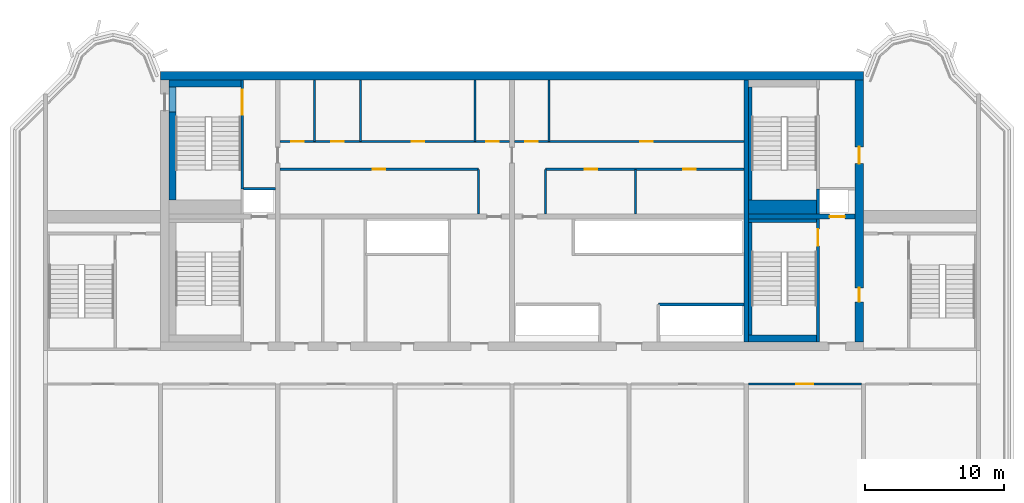
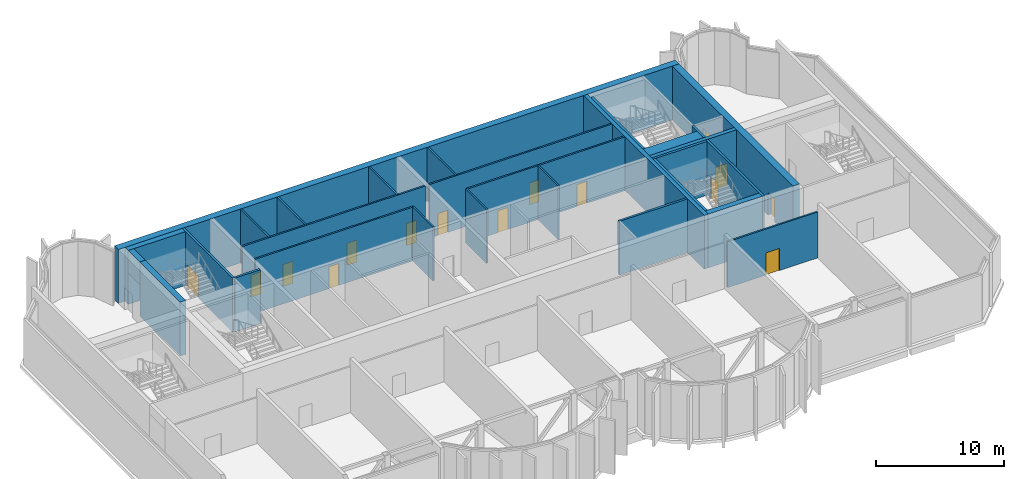
# One storey, part 4 of 11: 29 walls, 15 doors, 15 openings.
"""IFC4 building model written with IfcOpenShell, lengths in metres."""

from ifc_helpers import new_model, si_unit, direction, frame, frame_2d, origin, place, context, subcontext, project, spatial, rectangle, extrude, source, transform, mapped, material, layer, layer_set, type_object, element, fill, save


model = new_model("IFC4")

# Units and contexts
model_context = context("Model", 3, precision=1e-05, world=origin(), true_north=direction((0.0, 1.0)))
body_context = subcontext(model_context, "Body", "Model", "MODEL_VIEW")
ifc_project = project(units=[si_unit("LENGTHUNIT", "METRE"), si_unit("AREAUNIT", "SQUARE_METRE"), si_unit("VOLUMEUNIT", "CUBIC_METRE"), si_unit("PLANEANGLEUNIT", "RADIAN"), si_unit("MASSUNIT", "GRAM", prefix="KILO")], contexts=[model_context])

# Site, building, storey
site_placement = place(None, origin())
site = spatial("IfcSite", under=ifc_project, at=site_placement, CompositionType="ELEMENT")
building_placement = place(site_placement, origin())
building = spatial("IfcBuilding", under=site, at=building_placement, Name="Vanashikhar Sky Hotel", CompositionType="ELEMENT")
storey_placement = place(building_placement, frame((0.0, 0.0, 264.699951171875)))
storey = spatial("IfcBuildingStorey", under=building, at=storey_placement, Name="L64", CompositionType="ELEMENT", Elevation=264.699951171875)

# Wall
ifc_material_1 = material(Name="Concrete M60", Category="concrete")
ifc_layer_1 = layer(ifc_material_1, 0.60009765625)
ifc_layer_set_1 = layer_set([ifc_layer_1], Name="RC core shell wall 600 Concrete M60")
wall_type_1 = type_object("IfcWallType", Name="RC core shell wall 600 Concrete M60", PredefinedType="SHEAR", material=ifc_layer_set_1)
shared_shape_1 = source(origin(), body_context, "Body", "SweptSolid", [
    extrude(rectangle(XDim=50.400146484375, YDim=0.60009765625, at=frame_2d((25.2001953125, 0.0))), origin(), (0.0, 0.0, 1.0), 5.1201171875),
])
wall_1_placement = place(storey_placement, frame((25.199951171875, 41.699951171875, 0.0), z_axis=(0.0, 0.0, 1.0), x_axis=(1.0, 0.0, 0.0)))
element("IfcWall", 1, at=wall_1_placement, inside=storey, type_object=wall_type_1, Name="KW-L64-KN", PredefinedType="SHEAR", context=body_context, shape_type="MappedRepresentation", body=[
    mapped(shared_shape_1, transform((0.0, 0.0, 0.0), scale=1.0)),
])

# Wall, openings, doors
shared_shape_2 = source(origin(), body_context, "Body", "SweptSolid", [
    extrude(rectangle(XDim=18.7998046875, YDim=0.60009765625, at=frame_2d((9.39990234375, 0.0))), origin(), (0.0, 0.0, 1.0), 5.1201171875),
])
wall_2_placement = place(storey_placement, frame((75.300048828125, 22.60009765625, 0.0), z_axis=(0.0, 0.0, 1.0), x_axis=(0.0, 1.0, 0.0)))
wall_2 = element("IfcWall", 2, at=wall_2_placement, inside=storey, type_object=wall_type_1, Name="KW-L64-KE", PredefinedType="SHEAR", context=body_context, shape_type="MappedRepresentation", body=[
    mapped(shared_shape_2, transform((0.0, 0.0, 0.0), scale=1.0)),
])
shared_shape_3 = source(origin(), body_context, "Body", "SweptSolid", [
    extrude(rectangle(XDim=1.0, YDim=2.10009765625, at=frame_2d((0.5, 1.050048828125))), frame((0.0, 0.31005859375, 0.0), z_axis=(0.0, -1.0, 0.0), x_axis=(1.0, 0.0, 0.0)), (0.0, 0.0, 1.0), 0.6201171875),
])
opening_1_placement = place(wall_2_placement, frame((2.89990234375, 0.0, 0.0)))
opening_1 = element("IfcOpeningElement", 3, at=opening_1_placement, cuts=wall_2, Name="Opening DC-5", PredefinedType="OPENING", context=body_context, shape_type="MappedRepresentation", body=[
    mapped(shared_shape_3, transform((0.0, 0.0, 0.0), scale=1.0)),
])
shared_shape_4 = source(origin(), body_context, "Body", "SweptSolid", [
    extrude(rectangle(XDim=1.199951171875, YDim=2.10009765625, at=frame_2d((0.60009765625, 1.050048828125))), frame((0.0, 0.31005859375, 0.0), z_axis=(0.0, -1.0, 0.0), x_axis=(1.0, 0.0, 0.0)), (0.0, 0.0, 1.0), 0.6201171875),
])
opening_2_placement = place(wall_2_placement, frame((12.800048828125, 0.0, 0.0)))
opening_2 = element("IfcOpeningElement", 4, at=opening_2_placement, cuts=wall_2, Name="Opening DC-4-D", PredefinedType="OPENING", context=body_context, shape_type="MappedRepresentation", body=[
    mapped(shared_shape_4, transform((0.0, 0.0, 0.0), scale=1.0)),
])
ifc_material_2 = material(Name="Steel", Category="steel")
door_type_1 = type_object("IfcDoorType", Name="Refuge door 1000 FD120", OperationType="NOTDEFINED", PredefinedType="DOOR", material=ifc_material_2)
shared_shape_5 = source(origin(), body_context, "Body", "SweptSolid", [
    extrude(rectangle(XDim=1.0, YDim=2.10009765625, at=frame_2d((0.5, 1.050048828125))), frame((0.0, 0.02490234375, 0.0), z_axis=(0.0, -1.0, 0.0), x_axis=(1.0, 0.0, 0.0)), (0.0, 0.0, 1.0), 0.050048828125),
])
door_1_placement = place(opening_1_placement, origin())
door_1 = element("IfcDoor", 5, at=door_1_placement, inside=storey, type_object=door_type_1, Name="Refuge door 1000 FD120", OperationType="SINGLE_SWING_RIGHT", OverallHeight=2.10009765625, OverallWidth=1.0, PredefinedType="DOOR", context=body_context, shape_type="MappedRepresentation", body=[
    mapped(shared_shape_5, transform((0.0, 0.0, 0.0), scale=1.0)),
])
fill(opening_1, door_1)
door_type_2 = type_object("IfcDoorType", Name="Service door 1200 FD120", OperationType="NOTDEFINED", PredefinedType="DOOR", material=ifc_material_2)
shared_shape_6 = source(origin(), body_context, "Body", "SweptSolid", [
    extrude(rectangle(XDim=1.199951171875, YDim=2.10009765625, at=frame_2d((0.60009765625, 1.050048828125))), frame((0.0, 0.02490234375, 0.0), z_axis=(0.0, -1.0, 0.0), x_axis=(1.0, 0.0, 0.0)), (0.0, 0.0, 1.0), 0.050048828125),
])
door_2_placement = place(opening_2_placement, origin())
door_2 = element("IfcDoor", 6, at=door_2_placement, inside=storey, type_object=door_type_2, Name="Service door 1200 FD120", OperationType="SINGLE_SWING_LEFT", OverallHeight=2.10009765625, OverallWidth=1.199951171875, PredefinedType="DOOR", context=body_context, shape_type="MappedRepresentation", body=[
    mapped(shared_shape_6, transform((0.0, 0.0, 0.0), scale=1.0)),
])
fill(opening_2, door_2)

# Wall
ifc_layer_2 = layer(ifc_material_1, 0.35009765625)
ifc_layer_set_2 = layer_set([ifc_layer_2], Name="RC core inner wall 350 Concrete M60")
wall_type_2 = type_object("IfcWallType", Name="RC core inner wall 350 Concrete M60", PredefinedType="SHEAR", material=ifc_layer_set_2)
shared_shape_7 = source(origin(), body_context, "Body", "SweptSolid", [
    extrude(rectangle(XDim=18.7998046875, YDim=0.35009765625, at=frame_2d((9.39990234375, 0.0))), origin(), (0.0, 0.0, 1.0), 5.1201171875),
])
wall_3_placement = place(storey_placement, frame((67.199951171875, 22.60009765625, 0.0), z_axis=(0.0, 0.0, 1.0), x_axis=(0.0, 1.0, 0.0)))
element("IfcWall", 7, at=wall_3_placement, inside=storey, type_object=wall_type_2, Name="KW-L64-KX3", PredefinedType="SHEAR", context=body_context, shape_type="MappedRepresentation", body=[
    mapped(shared_shape_7, transform((0.0, 0.0, 0.0), scale=1.0)),
])

# Wall, opening, door
shared_shape_8 = source(origin(), body_context, "Body", "SweptSolid", [
    extrude(rectangle(XDim=7.625, YDim=0.35009765625, at=frame_2d((3.8125, 0.0))), origin(), (0.0, 0.0, 1.0), 5.1201171875),
])
wall_4_placement = place(storey_placement, frame((67.375, 31.60009765625, 0.0), z_axis=(0.0, 0.0, 1.0), x_axis=(1.0, 0.0, 0.0)))
wall_4 = element("IfcWall", 8, at=wall_4_placement, inside=storey, type_object=wall_type_2, Name="KW-L64-KY4", PredefinedType="SHEAR", context=body_context, shape_type="MappedRepresentation", body=[
    mapped(shared_shape_8, transform((0.0, 0.0, 0.0), scale=1.0)),
])
shared_shape_9 = source(origin(), body_context, "Body", "SweptSolid", [
    extrude(rectangle(XDim=1.10009765625, YDim=2.10009765625, at=frame_2d((0.550048828125, 1.050048828125))), frame((0.0, 0.18505859375, 0.0), z_axis=(0.0, -1.0, 0.0), x_axis=(1.0, 0.0, 0.0)), (0.0, 0.0, 1.0), 0.3701171875),
])
opening_3_placement = place(wall_4_placement, frame((5.800048828125, 0.0, 0.0)))
opening_3 = element("IfcOpeningElement", 9, at=opening_3_placement, cuts=wall_4, Name="Opening LD", PredefinedType="OPENING", context=body_context, shape_type="MappedRepresentation", body=[
    mapped(shared_shape_9, transform((0.0, 0.0, 0.0), scale=1.0)),
])
ifc_material_3 = material(Name="Stainless steel", Category="steel")
door_type_3 = type_object("IfcDoorType", Name="Lift landing door 1100", OperationType="NOTDEFINED", PredefinedType="DOOR", material=ifc_material_3)
shared_shape_10 = source(origin(), body_context, "Body", "SweptSolid", [
    extrude(rectangle(XDim=1.10009765625, YDim=2.10009765625, at=frame_2d((0.550048828125, 1.050048828125))), frame((0.0, 0.02490234375, 0.0), z_axis=(0.0, -1.0, 0.0), x_axis=(1.0, 0.0, 0.0)), (0.0, 0.0, 1.0), 0.050048828125),
])
door_3_placement = place(opening_3_placement, origin())
door_3 = element("IfcDoor", 10, at=door_3_placement, inside=storey, type_object=door_type_3, Name="Lift landing door 1100", OperationType="SLIDING_TO_LEFT", OverallHeight=2.10009765625, OverallWidth=1.10009765625, PredefinedType="DOOR", context=body_context, shape_type="MappedRepresentation", body=[
    mapped(shared_shape_10, transform((0.0, 0.0, 0.0), scale=1.0)),
])
fill(opening_3, door_3)

# Walls
ifc_material_4 = material(Name="Gypsum board partition")
ifc_layer_3 = layer(ifc_material_4, 0.14990234375)
ifc_layer_set_3 = layer_set([ifc_layer_3], Name="Service partition 150")
wall_type_3 = type_object("IfcWallType", Name="Service partition 150", PredefinedType="PARTITIONING", material=ifc_layer_set_3)
shared_shape_11 = source(origin(), body_context, "Body", "SweptSolid", [
    extrude(rectangle(XDim=3.22509765625, YDim=0.14990234375, at=frame_2d((1.612548828125, 0.0))), origin(), (0.0, 0.0, 1.0), 5.1201171875),
])
for number, where, z_axis, x_axis, name in (
    (11, (48.0, 31.77490234375, 0.0), (0.0, 0.0, 1.0), (0.0, 1.0, 0.0), "Service partition 150"),
    (12, (52.800048828125, 31.77490234375, 0.0), (0.0, 0.0, 1.0), (0.0, 1.0, 0.0), "Service partition 150"),
    (13, (59.241943359375, 31.77490234375, 0.0), (0.0, 0.0, 1.0), (0.0, 1.0, 0.0), "Service partition 150"),
):
    element("IfcWall", number, at=place(storey_placement, frame(where, z_axis=z_axis, x_axis=x_axis)), inside=storey, type_object=wall_type_3, Name=name, PredefinedType="PARTITIONING", context=body_context, shape_type="MappedRepresentation", body=[
        mapped(shared_shape_11, transform((0.0, 0.0, 0.0), scale=1.0)),
    ])

# Wall, opening, door
shared_shape_12 = source(origin(), body_context, "Body", "SweptSolid", [
    extrude(rectangle(XDim=14.22509765625, YDim=0.14990234375, at=frame_2d((7.112548828125, 0.0))), origin(), (0.0, 0.0, 1.0), 5.1201171875),
])
wall_5_placement = place(storey_placement, frame((33.77490234375, 35.0, 0.0), z_axis=(0.0, 0.0, 1.0), x_axis=(1.0, 0.0, 0.0)))
wall_5 = element("IfcWall", 14, at=wall_5_placement, inside=storey, type_object=wall_type_3, Name="Service partition 150", PredefinedType="PARTITIONING", context=body_context, shape_type="MappedRepresentation", body=[
    mapped(shared_shape_12, transform((0.0, 0.0, 0.0), scale=1.0)),
])
shared_shape_13 = source(origin(), body_context, "Body", "SweptSolid", [
    extrude(rectangle(XDim=0.89990234375, YDim=2.10009765625, at=frame_2d((0.449951171875, 1.050048828125))), frame((0.0, 0.0849609375, 0.0), z_axis=(0.0, -1.0, 0.0), x_axis=(1.0, 0.0, 0.0)), (0.0, 0.0, 1.0), 0.169921875),
])
opening_4_placement = place(wall_5_placement, frame((6.625, 0.0, 0.0)))
opening_4 = element("IfcOpeningElement", 15, at=opening_4_placement, cuts=wall_5, Name="Opening DC-4-A", PredefinedType="OPENING", context=body_context, shape_type="MappedRepresentation", body=[
    mapped(shared_shape_13, transform((0.0, 0.0, 0.0), scale=1.0)),
])
door_type_4 = type_object("IfcDoorType", Name="Service door 900 FD60", OperationType="NOTDEFINED", PredefinedType="DOOR", material=ifc_material_2)
shared_shape_14 = source(origin(), body_context, "Body", "SweptSolid", [
    extrude(rectangle(XDim=0.89990234375, YDim=2.10009765625, at=frame_2d((0.449951171875, 1.050048828125))), frame((0.0, 0.02490234375, 0.0), z_axis=(0.0, -1.0, 0.0), x_axis=(1.0, 0.0, 0.0)), (0.0, 0.0, 1.0), 0.050048828125),
])
door_4_placement = place(opening_4_placement, origin())
door_4 = element("IfcDoor", 16, at=door_4_placement, inside=storey, type_object=door_type_4, Name="Service door 900 FD60", OperationType="SINGLE_SWING_RIGHT", OverallHeight=2.10009765625, OverallWidth=0.89990234375, PredefinedType="DOOR", context=body_context, shape_type="MappedRepresentation", body=[
    mapped(shared_shape_14, transform((0.0, 0.0, 0.0), scale=1.0)),
])
fill(opening_4, door_4)

# Wall, openings, doors
shared_shape_15 = source(origin(), body_context, "Body", "SweptSolid", [
    extrude(rectangle(XDim=16.4501953125, YDim=0.14990234375, at=frame_2d((8.22509765625, 0.0))), origin(), (0.0, 0.0, 1.0), 5.1201171875),
])
wall_6_placement = place(storey_placement, frame((33.77490234375, 37.0, 0.0), z_axis=(0.0, 0.0, 1.0), x_axis=(1.0, 0.0, 0.0)))
wall_6 = element("IfcWall", 17, at=wall_6_placement, inside=storey, type_object=wall_type_3, Name="Service partition 150", PredefinedType="PARTITIONING", context=body_context, shape_type="MappedRepresentation", body=[
    mapped(shared_shape_15, transform((0.0, 0.0, 0.0), scale=1.0)),
])
opening_5_placement = place(wall_6_placement, frame((0.783935546875, 0.0, 0.0)))
opening_5 = element("IfcOpeningElement", 18, at=opening_5_placement, cuts=wall_6, Name="Opening DC-4-A", PredefinedType="OPENING", context=body_context, shape_type="MappedRepresentation", body=[
    mapped(shared_shape_13, transform((0.0, 0.0, 0.0), scale=1.0)),
])
opening_6_placement = place(wall_6_placement, frame((3.6630859375, 0.0, 0.0)))
opening_6 = element("IfcOpeningElement", 19, at=opening_6_placement, cuts=wall_6, Name="Opening DC-4-A", PredefinedType="OPENING", context=body_context, shape_type="MappedRepresentation", body=[
    mapped(shared_shape_13, transform((0.0, 0.0, 0.0), scale=1.0)),
])
opening_7_placement = place(wall_6_placement, frame((9.419921875, 0.0, 0.0)))
opening_7 = element("IfcOpeningElement", 20, at=opening_7_placement, cuts=wall_6, Name="Opening DC-4-A", PredefinedType="OPENING", context=body_context, shape_type="MappedRepresentation", body=[
    mapped(shared_shape_13, transform((0.0, 0.0, 0.0), scale=1.0)),
])
opening_8_placement = place(wall_6_placement, frame((14.76611328125, 0.0, 0.0)))
opening_8 = element("IfcOpeningElement", 21, at=opening_8_placement, cuts=wall_6, Name="Opening DC-4-A", PredefinedType="OPENING", context=body_context, shape_type="MappedRepresentation", body=[
    mapped(shared_shape_13, transform((0.0, 0.0, 0.0), scale=1.0)),
])
door_5_placement = place(opening_5_placement, origin())
door_5 = element("IfcDoor", 22, at=door_5_placement, inside=storey, type_object=door_type_4, Name="Service door 900 FD60", OperationType="SINGLE_SWING_LEFT", OverallHeight=2.10009765625, OverallWidth=0.89990234375, PredefinedType="DOOR", context=body_context, shape_type="MappedRepresentation", body=[
    mapped(shared_shape_14, transform((0.0, 0.0, 0.0), scale=1.0)),
])
fill(opening_5, door_5)
door_6_placement = place(opening_6_placement, origin())
door_6 = element("IfcDoor", 23, at=door_6_placement, inside=storey, type_object=door_type_4, Name="Service door 900 FD60", OperationType="SINGLE_SWING_LEFT", OverallHeight=2.10009765625, OverallWidth=0.89990234375, PredefinedType="DOOR", context=body_context, shape_type="MappedRepresentation", body=[
    mapped(shared_shape_14, transform((0.0, 0.0, 0.0), scale=1.0)),
])
fill(opening_6, door_6)
door_7_placement = place(opening_7_placement, origin())
door_7 = element("IfcDoor", 24, at=door_7_placement, inside=storey, type_object=door_type_4, Name="Service door 900 FD60", OperationType="SINGLE_SWING_LEFT", OverallHeight=2.10009765625, OverallWidth=0.89990234375, PredefinedType="DOOR", context=body_context, shape_type="MappedRepresentation", body=[
    mapped(shared_shape_14, transform((0.0, 0.0, 0.0), scale=1.0)),
])
fill(opening_7, door_7)
door_8_placement = place(opening_8_placement, origin())
door_8 = element("IfcDoor", 25, at=door_8_placement, inside=storey, type_object=door_type_4, Name="Service door 900 FD60", OperationType="SINGLE_SWING_RIGHT", OverallHeight=2.10009765625, OverallWidth=0.89990234375, PredefinedType="DOOR", context=body_context, shape_type="MappedRepresentation", body=[
    mapped(shared_shape_14, transform((0.0, 0.0, 0.0), scale=1.0)),
])
fill(opening_8, door_8)

# Walls
shared_shape_16 = source(origin(), body_context, "Body", "SweptSolid", [
    extrude(rectangle(XDim=4.39990234375, YDim=0.14990234375, at=frame_2d((2.199951171875, 0.0))), origin(), (0.0, 0.0, 1.0), 5.1201171875),
])
for number, where, z_axis, x_axis, name in (
    (26, (36.241943359375, 37.0, 0.0), (0.0, 0.0, 1.0), (0.0, 1.0, 0.0), "Service partition 150"),
    (27, (39.531982421875, 37.0, 0.0), (0.0, 0.0, 1.0), (0.0, 1.0, 0.0), "Service partition 150"),
    (28, (47.758056640625, 37.0, 0.0), (0.0, 0.0, 1.0), (0.0, 1.0, 0.0), "Service partition 150"),
    (29, (53.0419921875, 37.0, 0.0), (0.0, 0.0, 1.0), (0.0, 1.0, 0.0), "Service partition 150"),
):
    element("IfcWall", number, at=place(storey_placement, frame(where, z_axis=z_axis, x_axis=x_axis)), inside=storey, type_object=wall_type_3, Name=name, PredefinedType="PARTITIONING", context=body_context, shape_type="MappedRepresentation", body=[
        mapped(shared_shape_16, transform((0.0, 0.0, 0.0), scale=1.0)),
    ])
ifc_material_5 = material(Name="Concrete M40", Category="concrete")
ifc_layer_4 = layer(ifc_material_5, 0.199951171875)
ifc_layer_set_4 = layer_set([ifc_layer_4], Name="Shaft wall 200")
wall_type_4 = type_object("IfcWallType", Name="Shaft wall 200", PredefinedType="SOLIDWALL", material=ifc_layer_set_4)
shared_shape_17 = source(origin(), body_context, "Body", "SweptSolid", [
    extrude(rectangle(XDim=6.125, YDim=0.199951171875, at=frame_2d((3.0625, 0.0))), origin(), (0.0, 0.0, 1.0), 5.1201171875),
])
wall_7_placement = place(storey_placement, frame((67.02490234375, 25.300048828125, 0.0), z_axis=(0.0, 0.0, 1.0), x_axis=(-1.0, 0.0, 0.0)))
element("IfcWall", 30, at=wall_7_placement, inside=storey, type_object=wall_type_4, Name="Shaft wall 200", PredefinedType="SOLIDWALL", context=body_context, shape_type="MappedRepresentation", body=[
    mapped(shared_shape_17, transform((0.0, 0.0, 0.0), scale=1.0)),
])

# Wall, openings, doors
shared_shape_18 = source(origin(), body_context, "Body", "SweptSolid", [
    extrude(rectangle(XDim=14.224853515625, YDim=0.14990234375, at=frame_2d((7.1123046875, 0.0))), origin(), (0.0, 0.0, 1.0), 5.1201171875),
])
wall_8_placement = place(storey_placement, frame((67.02490234375, 35.0, 0.0), z_axis=(0.0, 0.0, 1.0), x_axis=(-1.0, 0.0, 0.0)))
wall_8 = element("IfcWall", 31, at=wall_8_placement, inside=storey, type_object=wall_type_3, Name="Service partition 150", PredefinedType="PARTITIONING", context=body_context, shape_type="MappedRepresentation", body=[
    mapped(shared_shape_18, transform((0.0, 0.0, 0.0), scale=1.0)),
])
opening_9_placement = place(wall_8_placement, frame((3.44091796875, 0.0, 0.0)))
opening_9 = element("IfcOpeningElement", 32, at=opening_9_placement, cuts=wall_8, Name="Opening DC-4-A", PredefinedType="OPENING", context=body_context, shape_type="MappedRepresentation", body=[
    mapped(shared_shape_13, transform((0.0, 0.0, 0.0), scale=1.0)),
])
opening_10_placement = place(wall_8_placement, frame((10.51611328125, 0.0, 0.0)))
opening_10 = element("IfcOpeningElement", 33, at=opening_10_placement, cuts=wall_8, Name="Opening DC-4-A", PredefinedType="OPENING", context=body_context, shape_type="MappedRepresentation", body=[
    mapped(shared_shape_13, transform((0.0, 0.0, 0.0), scale=1.0)),
])
door_9_placement = place(opening_9_placement, origin())
door_9 = element("IfcDoor", 34, at=door_9_placement, inside=storey, type_object=door_type_4, Name="Service door 900 FD60", OperationType="SINGLE_SWING_RIGHT", OverallHeight=2.10009765625, OverallWidth=0.89990234375, PredefinedType="DOOR", context=body_context, shape_type="MappedRepresentation", body=[
    mapped(shared_shape_14, transform((0.0, 0.0, 0.0), scale=1.0)),
])
fill(opening_9, door_9)
door_10_placement = place(opening_10_placement, origin())
door_10 = element("IfcDoor", 35, at=door_10_placement, inside=storey, type_object=door_type_4, Name="Service door 900 FD60", OperationType="SINGLE_SWING_LEFT", OverallHeight=2.10009765625, OverallWidth=0.89990234375, PredefinedType="DOOR", context=body_context, shape_type="MappedRepresentation", body=[
    mapped(shared_shape_14, transform((0.0, 0.0, 0.0), scale=1.0)),
])
fill(opening_10, door_10)

shared_shape_19 = source(origin(), body_context, "Body", "SweptSolid", [
    extrude(rectangle(XDim=16.449951171875, YDim=0.14990234375, at=frame_2d((8.22509765625, 0.0))), origin(), (0.0, 0.0, 1.0), 5.1201171875),
])
wall_9_placement = place(storey_placement, frame((67.02490234375, 37.0, 0.0), z_axis=(0.0, 0.0, 1.0), x_axis=(-1.0, 0.0, 0.0)))
wall_9 = element("IfcWall", 36, at=wall_9_placement, inside=storey, type_object=wall_type_3, Name="Service partition 150", PredefinedType="PARTITIONING", context=body_context, shape_type="MappedRepresentation", body=[
    mapped(shared_shape_19, transform((0.0, 0.0, 0.0), scale=1.0)),
])
opening_11_placement = place(wall_9_placement, frame((6.541015625, 0.0, 0.0)))
opening_11 = element("IfcOpeningElement", 37, at=opening_11_placement, cuts=wall_9, Name="Opening DC-4-A", PredefinedType="OPENING", context=body_context, shape_type="MappedRepresentation", body=[
    mapped(shared_shape_13, transform((0.0, 0.0, 0.0), scale=1.0)),
])
opening_12_placement = place(wall_9_placement, frame((14.76611328125, 0.0, 0.0)))
opening_12 = element("IfcOpeningElement", 38, at=opening_12_placement, cuts=wall_9, Name="Opening DC-4-A", PredefinedType="OPENING", context=body_context, shape_type="MappedRepresentation", body=[
    mapped(shared_shape_13, transform((0.0, 0.0, 0.0), scale=1.0)),
])
door_11_placement = place(opening_11_placement, origin())
door_11 = element("IfcDoor", 39, at=door_11_placement, inside=storey, type_object=door_type_4, Name="Service door 900 FD60", OperationType="SINGLE_SWING_LEFT", OverallHeight=2.10009765625, OverallWidth=0.89990234375, PredefinedType="DOOR", context=body_context, shape_type="MappedRepresentation", body=[
    mapped(shared_shape_14, transform((0.0, 0.0, 0.0), scale=1.0)),
])
fill(opening_11, door_11)
door_12_placement = place(opening_12_placement, origin())
door_12 = element("IfcDoor", 40, at=door_12_placement, inside=storey, type_object=door_type_4, Name="Service door 900 FD60", OperationType="SINGLE_SWING_RIGHT", OverallHeight=2.10009765625, OverallWidth=0.89990234375, PredefinedType="DOOR", context=body_context, shape_type="MappedRepresentation", body=[
    mapped(shared_shape_14, transform((0.0, 0.0, 0.0), scale=1.0)),
])
fill(opening_12, door_12)

# Wall, opening, door
ifc_material_6 = material(Name="Concrete M50", Category="concrete")
ifc_layer_5 = layer(ifc_material_6, 0.199951171875)
ifc_layer_set_5 = layer_set([ifc_layer_5], Name="Stair wall 200")
wall_type_5 = type_object("IfcWallType", Name="Stair wall 200", PredefinedType="SOLIDWALL", material=ifc_layer_set_5)
shared_shape_20 = source(origin(), body_context, "Body", "SweptSolid", [
    extrude(rectangle(XDim=8.824951171875, YDim=0.199951171875, at=frame_2d((4.41259765625, 0.0))), origin(), (0.0, 0.0, 1.0), 5.1201171875),
])
wall_10_placement = place(storey_placement, frame((72.35009765625, 22.60009765625, 0.0), z_axis=(0.0, 0.0, 1.0), x_axis=(0.0, 1.0, 0.0)))
wall_10 = element("IfcWall", 41, at=wall_10_placement, inside=storey, type_object=wall_type_5, Name="Stair wall 200", PredefinedType="SOLIDWALL", context=body_context, shape_type="MappedRepresentation", body=[
    mapped(shared_shape_20, transform((0.0, 0.0, 0.0), scale=1.0)),
])
shared_shape_21 = source(origin(), body_context, "Body", "SweptSolid", [
    extrude(rectangle(XDim=1.199951171875, YDim=2.10009765625, at=frame_2d((0.60009765625, 1.050048828125))), frame((0.0, 0.10986328125, 0.0), z_axis=(0.0, -1.0, 0.0), x_axis=(1.0, 0.0, 0.0)), (0.0, 0.0, 1.0), 0.219970703125),
])
opening_13_placement = place(wall_10_placement, frame((6.89990234375, 0.0, 0.0)))
opening_13 = element("IfcOpeningElement", 42, at=opening_13_placement, cuts=wall_10, Name="Opening DC-1", PredefinedType="OPENING", context=body_context, shape_type="MappedRepresentation", body=[
    mapped(shared_shape_21, transform((0.0, 0.0, 0.0), scale=1.0)),
])
door_type_5 = type_object("IfcDoorType", Name="Stair door 1200 FD120", OperationType="NOTDEFINED", PredefinedType="DOOR", material=ifc_material_2)
door_13_placement = place(opening_13_placement, origin())
door_13 = element("IfcDoor", 43, at=door_13_placement, inside=storey, type_object=door_type_5, Name="Stair door 1200 FD120", OperationType="SINGLE_SWING_RIGHT", OverallHeight=2.10009765625, OverallWidth=1.199951171875, PredefinedType="DOOR", context=body_context, shape_type="MappedRepresentation", body=[
    mapped(shared_shape_6, transform((0.0, 0.0, 0.0), scale=1.0)),
])
fill(opening_13, door_13)

# Walls
shared_shape_22 = source(origin(), body_context, "Body", "SweptSolid", [
    extrude(rectangle(XDim=1.8251953125, YDim=0.199951171875, at=frame_2d((0.91259765625, 0.0))), origin(), (0.0, 0.0, 1.0), 5.1201171875),
])
wall_11_placement = place(storey_placement, frame((72.35009765625, 31.77490234375, 0.0), z_axis=(0.0, 0.0, 1.0), x_axis=(0.0, 1.0, 0.0)))
element("IfcWall", 44, at=wall_11_placement, inside=storey, type_object=wall_type_4, Name="Shaft wall 200", PredefinedType="SOLIDWALL", context=body_context, shape_type="MappedRepresentation", body=[
    mapped(shared_shape_22, transform((0.0, 0.0, 0.0), scale=1.0)),
])
shared_shape_23 = source(origin(), body_context, "Body", "SweptSolid", [
    extrude(rectangle(XDim=2.275146484375, YDim=0.199951171875, at=frame_2d((1.1376953125, 0.0))), origin(), (0.0, 0.0, 1.0), 5.1201171875),
])
wall_12_placement = place(storey_placement, frame((31.14990234375, 33.60009765625, 0.0), z_axis=(0.0, 0.0, 1.0), x_axis=(1.0, 0.0, 0.0)))
element("IfcWall", 45, at=wall_12_placement, inside=storey, type_object=wall_type_4, Name="Shaft wall 200", PredefinedType="SOLIDWALL", context=body_context, shape_type="MappedRepresentation", body=[
    mapped(shared_shape_23, transform((0.0, 0.0, 0.0), scale=1.0)),
])

# Wall, opening, door
shared_shape_24 = source(origin(), body_context, "Body", "SweptSolid", [
    extrude(rectangle(XDim=7.7998046875, YDim=0.199951171875, at=frame_2d((3.89990234375, 0.0))), origin(), (0.0, 0.0, 1.0), 5.1201171875),
])
wall_13_placement = place(storey_placement, frame((31.050048828125, 33.60009765625, 0.0), z_axis=(0.0, 0.0, 1.0), x_axis=(0.0, 1.0, 0.0)))
wall_13 = element("IfcWall", 46, at=wall_13_placement, inside=storey, type_object=wall_type_5, Name="Stair wall 200", PredefinedType="SOLIDWALL", context=body_context, shape_type="MappedRepresentation", body=[
    mapped(shared_shape_24, transform((0.0, 0.0, 0.0), scale=1.0)),
])
shared_shape_25 = source(origin(), body_context, "Body", "SweptSolid", [
    extrude(rectangle(XDim=1.800048828125, YDim=2.10009765625, at=frame_2d((0.89990234375, 1.050048828125))), frame((0.0, 0.10986328125, 0.0), z_axis=(0.0, -1.0, 0.0), x_axis=(1.0, 0.0, 0.0)), (0.0, 0.0, 1.0), 0.219970703125),
])
opening_14_placement = place(wall_13_placement, frame((5.300048828125, 0.0, 0.0)))
opening_14 = element("IfcOpeningElement", 47, at=opening_14_placement, cuts=wall_13, Name="Opening DC-1-A", PredefinedType="OPENING", context=body_context, shape_type="MappedRepresentation", body=[
    mapped(shared_shape_25, transform((0.0, 0.0, 0.0), scale=1.0)),
])
door_type_6 = type_object("IfcDoorType", Name="Stair door 1800 FD120", OperationType="NOTDEFINED", PredefinedType="DOOR", material=ifc_material_2)
shared_shape_26 = source(origin(), body_context, "Body", "SweptSolid", [
    extrude(rectangle(XDim=1.800048828125, YDim=2.10009765625, at=frame_2d((0.89990234375, 1.050048828125))), frame((0.0, 0.02490234375, 0.0), z_axis=(0.0, -1.0, 0.0), x_axis=(1.0, 0.0, 0.0)), (0.0, 0.0, 1.0), 0.050048828125),
])
door_14_placement = place(opening_14_placement, origin())
door_14 = element("IfcDoor", 48, at=door_14_placement, inside=storey, type_object=door_type_6, Name="Stair door 1800 FD120", OperationType="SINGLE_SWING_RIGHT", OverallHeight=2.10009765625, OverallWidth=1.800048828125, PredefinedType="DOOR", context=body_context, shape_type="MappedRepresentation", body=[
    mapped(shared_shape_26, transform((0.0, 0.0, 0.0), scale=1.0)),
])
fill(opening_14, door_14)

# Walls
ifc_layer_6 = layer(ifc_material_6, 0.5)
ifc_layer_set_6 = layer_set([ifc_layer_6], Name="Stair infill wall 500")
wall_type_6 = type_object("IfcWallType", Name="Stair infill wall 500", PredefinedType="SOLIDWALL", material=ifc_layer_set_6)
shared_shape_27 = source(origin(), body_context, "Body", "SweptSolid", [
    extrude(rectangle(XDim=5.14990234375, YDim=0.5, at=frame_2d((2.574951171875, 0.0))), origin(), (0.0, 0.0, 1.0), 5.1201171875),
])
wall_14_placement = place(storey_placement, frame((25.800048828125, 41.14990234375, 0.0), z_axis=(0.0, 0.0, 1.0), x_axis=(1.0, 0.0, 0.0)))
element("IfcWall", 49, at=wall_14_placement, inside=storey, type_object=wall_type_6, Name="Stair infill wall 500", PredefinedType="SOLIDWALL", context=body_context, shape_type="MappedRepresentation", body=[
    mapped(shared_shape_27, transform((0.0, 0.0, 0.0), scale=1.0)),
])
shared_shape_28 = source(origin(), body_context, "Body", "SweptSolid", [
    extrude(rectangle(XDim=4.875, YDim=0.5, at=frame_2d((2.4375, 0.0))), origin(), (0.0, 0.0, 1.0), 5.1201171875),
])
wall_15_placement = place(storey_placement, frame((67.375, 22.85009765625, 0.0), z_axis=(0.0, 0.0, 1.0), x_axis=(1.0, 0.0, 0.0)))
element("IfcWall", 50, at=wall_15_placement, inside=storey, type_object=wall_type_6, Name="Stair infill wall 500", PredefinedType="SOLIDWALL", context=body_context, shape_type="MappedRepresentation", body=[
    mapped(shared_shape_28, transform((0.0, 0.0, 0.0), scale=1.0)),
])
ifc_layer_7 = layer(ifc_material_6, 0.22509765625)
ifc_layer_set_7 = layer_set([ifc_layer_7], Name="Stair infill wall 225")
wall_type_7 = type_object("IfcWallType", Name="Stair infill wall 225", PredefinedType="SOLIDWALL", material=ifc_layer_set_7)
shared_shape_29 = source(origin(), body_context, "Body", "SweptSolid", [
    extrude(rectangle(XDim=4.875, YDim=0.22509765625, at=frame_2d((2.4375, 0.0))), origin(), (0.0, 0.0, 1.0), 5.1201171875),
])
wall_16_placement = place(storey_placement, frame((67.375, 31.31201171875, 0.0), z_axis=(0.0, 0.0, 1.0), x_axis=(1.0, 0.0, 0.0)))
element("IfcWall", 51, at=wall_16_placement, inside=storey, type_object=wall_type_7, Name="Stair infill wall 225", PredefinedType="SOLIDWALL", context=body_context, shape_type="MappedRepresentation", body=[
    mapped(shared_shape_29, transform((0.0, 0.0, 0.0), scale=1.0)),
])
shared_shape_30 = source(origin(), body_context, "Body", "SweptSolid", [
    extrude(rectangle(XDim=8.099853515625, YDim=0.22509765625, at=frame_2d((4.0498046875, 0.0))), origin(), (0.0, 0.0, 1.0), 5.1201171875),
])
for number, where, z_axis, x_axis, name in (
    (52, (67.487060546875, 23.10009765625, 0.0), (0.0, 0.0, 1.0), (0.0, 1.0, 0.0), "Stair infill wall 225"),
    (53, (67.487060546875, 32.800048828125, 0.0), (0.0, 0.0, 1.0), (0.0, 1.0, 0.0), "Stair infill wall 225"),
):
    element("IfcWall", number, at=place(storey_placement, frame(where, z_axis=z_axis, x_axis=x_axis)), inside=storey, type_object=wall_type_7, Name=name, PredefinedType="SOLIDWALL", context=body_context, shape_type="MappedRepresentation", body=[
        mapped(shared_shape_30, transform((0.0, 0.0, 0.0), scale=1.0)),
    ])
shared_shape_31 = source(origin(), body_context, "Body", "SweptSolid", [
    extrude(rectangle(XDim=6.300048828125, YDim=0.5, at=frame_2d((3.14990234375, 0.0))), origin(), (0.0, 0.0, 1.0), 5.1201171875),
])
wall_17_placement = place(storey_placement, frame((26.050048828125, 32.800048828125, 0.0), z_axis=(0.0, 0.0, 1.0), x_axis=(0.0, 1.0, 0.0)))
element("IfcWall", 54, at=wall_17_placement, inside=storey, type_object=wall_type_6, Name="Stair infill wall 500", PredefinedType="SOLIDWALL", context=body_context, shape_type="MappedRepresentation", body=[
    mapped(shared_shape_31, transform((0.0, 0.0, 0.0), scale=1.0)),
])
shared_shape_32 = source(origin(), body_context, "Body", "SweptSolid", [
    extrude(rectangle(XDim=1.7998046875, YDim=0.5, at=frame_2d((0.89990234375, 0.0))), origin(), (0.0, 0.0, 1.0), 2.1201171875),
])
wall_18_placement = place(storey_placement, frame((26.050048828125, 39.10009765625, 3.0), z_axis=(0.0, 0.0, 1.0), x_axis=(0.0, 1.0, 0.0)))
element("IfcWall", 55, at=wall_18_placement, inside=storey, type_object=wall_type_6, Name="Stair infill wall 500", PredefinedType="SOLIDWALL", context=body_context, shape_type="MappedRepresentation", body=[
    mapped(shared_shape_32, transform((0.0, 0.0, 0.0), scale=1.0)),
])
ifc_layer_8 = layer(ifc_material_6, 1.02490234375)
ifc_layer_set_8 = layer_set([ifc_layer_8], Name="Stair infill wall 1025")
wall_type_8 = type_object("IfcWallType", Name="Stair infill wall 1025", PredefinedType="SOLIDWALL", material=ifc_layer_set_8)
shared_shape_33 = source(origin(), body_context, "Body", "SweptSolid", [
    extrude(rectangle(XDim=4.875, YDim=1.02490234375, at=frame_2d((2.4375, 0.0))), origin(), (0.0, 0.0, 1.0), 5.1201171875),
])
wall_19_placement = place(storey_placement, frame((67.375, 32.287109375, 0.0), z_axis=(0.0, 0.0, 1.0), x_axis=(1.0, 0.0, 0.0)))
element("IfcWall", 56, at=wall_19_placement, inside=storey, type_object=wall_type_8, Name="Stair infill wall 1025", PredefinedType="SOLIDWALL", context=body_context, shape_type="MappedRepresentation", body=[
    mapped(shared_shape_33, transform((0.0, 0.0, 0.0), scale=1.0)),
])

# Wall, opening, door
shared_shape_34 = source(origin(), body_context, "Body", "SweptSolid", [
    extrude(rectangle(XDim=8.099853515625, YDim=0.14990234375, at=frame_2d((4.0498046875, 0.0))), origin(), (0.0, 0.0, 1.0), 4.3701171875),
])
wall_20_placement = place(storey_placement, frame((67.35009765625, 19.60009765625, 0.0), z_axis=(0.0, 0.0, 1.0), x_axis=(1.0, 0.0, 0.0)))
wall_20 = element("IfcWall", 57, at=wall_20_placement, inside=storey, type_object=wall_type_3, Name="Service partition 150", PredefinedType="PARTITIONING", context=body_context, shape_type="MappedRepresentation", body=[
    mapped(shared_shape_34, transform((0.0, 0.0, 0.0), scale=1.0)),
])
shared_shape_35 = source(origin(), body_context, "Body", "SweptSolid", [
    extrude(rectangle(XDim=1.199951171875, YDim=2.10009765625, at=frame_2d((0.60009765625, 1.050048828125))), frame((0.0, 0.0849609375, 0.0), z_axis=(0.0, -1.0, 0.0), x_axis=(1.0, 0.0, 0.0)), (0.0, 0.0, 1.0), 0.169921875),
])
opening_15_placement = place(wall_20_placement, frame((3.449951171875, 0.0, 0.0)))
opening_15 = element("IfcOpeningElement", 58, at=opening_15_placement, cuts=wall_20, Name="Opening DC-4-D", PredefinedType="OPENING", context=body_context, shape_type="MappedRepresentation", body=[
    mapped(shared_shape_35, transform((0.0, 0.0, 0.0), scale=1.0)),
])
door_15_placement = place(opening_15_placement, origin())
door_15 = element("IfcDoor", 59, at=door_15_placement, inside=storey, type_object=door_type_2, Name="Service door 1200 FD120", OperationType="SINGLE_SWING_LEFT", OverallHeight=2.10009765625, OverallWidth=1.199951171875, PredefinedType="DOOR", context=body_context, shape_type="MappedRepresentation", body=[
    mapped(shared_shape_6, transform((0.0, 0.0, 0.0), scale=1.0)),
])
fill(opening_15, door_15)

save(model, "model.ifc")
